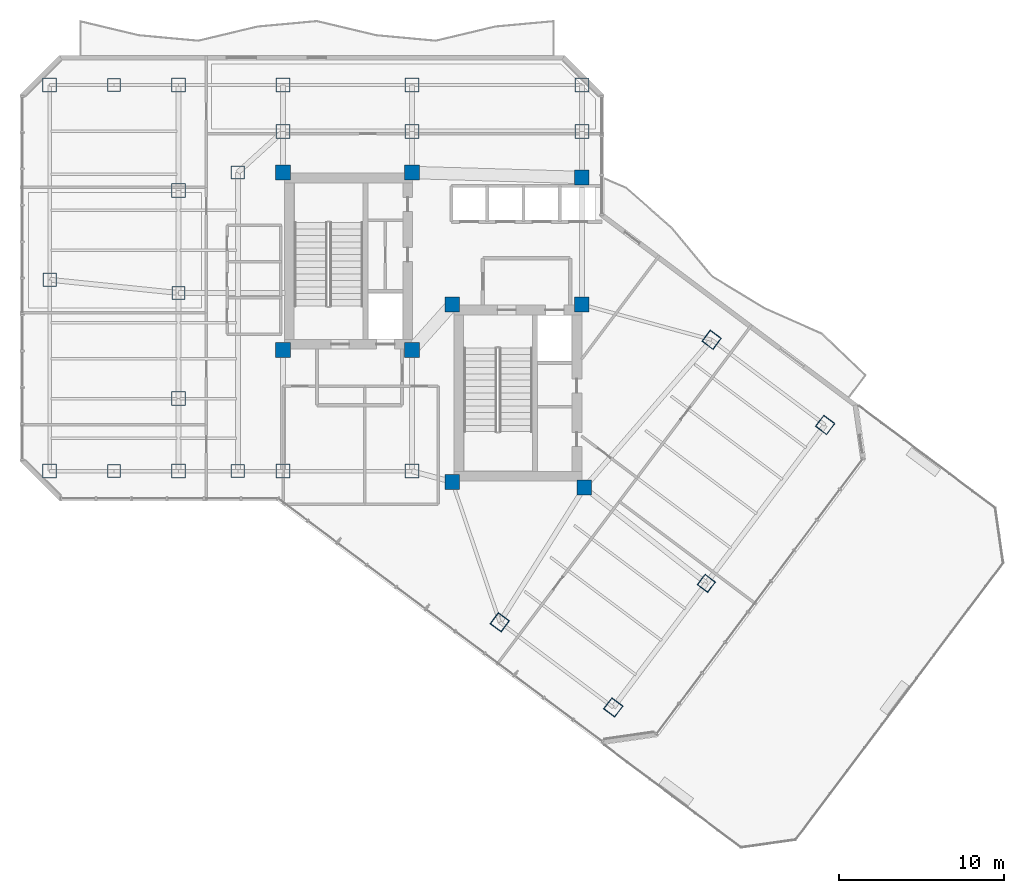
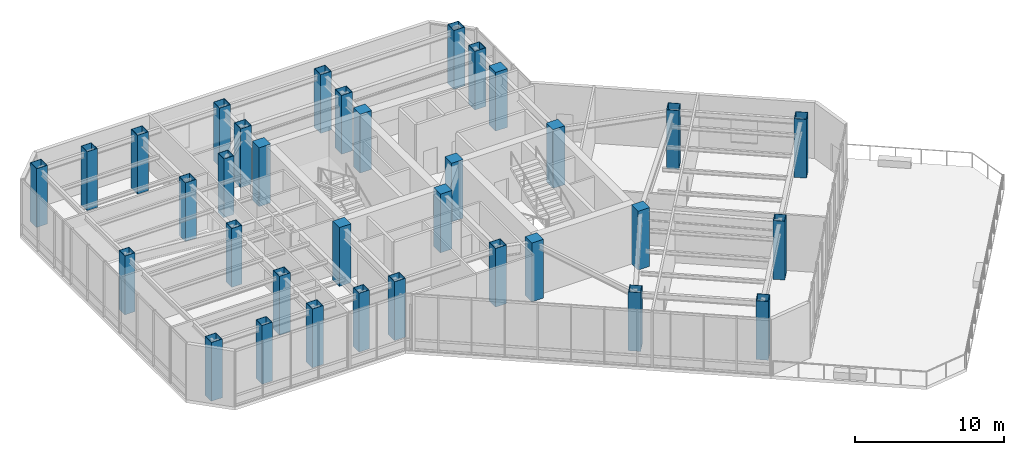
# One storey, part 1 of 30: 34 columns.
"""IFC4 building model written with IfcOpenShell, lengths in metres."""

from ifc_helpers import new_model, si_unit, direction, frame, origin, origin_2d, place, context, subcontext, project, spatial, rectangle, hollow_rectangle, extrude, material, material_profile, profile_set, type_object, element, save


model = new_model("IFC4")

# Units and contexts
model_context = context("Model", 3, precision=1e-05, world=origin(), true_north=direction((0.0, 1.0)))
body_context = subcontext(model_context, "Body", "Model", "MODEL_VIEW")
ifc_project = project(units=[si_unit("LENGTHUNIT", "METRE"), si_unit("AREAUNIT", "SQUARE_METRE"), si_unit("VOLUMEUNIT", "CUBIC_METRE"), si_unit("PLANEANGLEUNIT", "RADIAN"), si_unit("MASSUNIT", "GRAM", prefix="KILO")], contexts=[model_context])

# Site, building, storey
site_placement = place(None, origin())
site = spatial("IfcSite", under=ifc_project, at=site_placement, CompositionType="ELEMENT")
building_placement = place(site_placement, origin())
building = spatial("IfcBuilding", under=site, at=building_placement, Name="Hatsunagi Terrace Concourse", CompositionType="ELEMENT")
storey_placement = place(building_placement, frame((0.0, 0.0, 130.050048828125)))
storey = spatial("IfcBuildingStorey", under=building, at=storey_placement, Name="L34", CompositionType="ELEMENT", Elevation=130.050048828125)

# Columns
ifc_material_1 = material(Name="Concrete Fc48", Category="concrete")
ifc_material_profile_1 = material_profile(ifc_material_1, rectangle(XDim=0.89990234375, YDim=0.89990234375, at=origin_2d()), Name="RC-900x900")
ifc_profile_set_1 = profile_set([ifc_material_profile_1], Name="Concrete Fc48")
column_type_1 = type_object("IfcColumnType", Name="CoreColumn_RC_900x900", PredefinedType="COLUMN", material=ifc_profile_set_1)
for number, where, z_axis, x_axis, name in (
    (1, (25.550048828125, 32.550048828125, 0.0), (0.0, 0.0, 1.0), (1.0, 0.0, 0.0), "Column C-02 L34-CASW"),
    (2, (33.35009765625, 32.550048828125, 0.0), (0.0, 0.0, 1.0), (1.0, 0.0, 0.0), "Column C-02 L34-CASE"),
    (3, (25.550048828125, 43.300048828125, 0.0), (0.0, 0.0, 1.0), (1.0, 0.0, 0.0), "Column C-02 L34-CANW"),
    (4, (33.35009765625, 43.300048828125, 0.0), (0.0, 0.0, 1.0), (1.0, 0.0, 0.0), "Column C-02 L34-CANE"),
    (5, (35.800048828125, 24.550048828125, 0.0), (0.0, 0.0, 1.0), (1.0, 0.0, 0.0), "Column C-02 L34-CBSW"),
    (6, (43.800048828125, 24.199951171875, 0.0), (0.0, 0.0, 1.0), (1.0, 0.0, 0.0), "Column C-02 L34-CBSE"),
    (7, (35.800048828125, 35.300048828125, 0.0), (0.0, 0.0, 1.0), (1.0, 0.0, 0.0), "Column C-02 L34-CBNW"),
    (8, (43.64990234375, 35.300048828125, 0.0), (0.0, 0.0, 1.0), (1.0, 0.0, 0.0), "Column C-02 L34-CBNE"),
    (9, (43.64990234375, 43.0, 0.0), (0.0, 0.0, 1.0), (1.0, 0.0, 0.0), "Column C-02 L34-K3"),
):
    element("IfcColumn", number, at=place(storey_placement, frame(where, z_axis=z_axis, x_axis=x_axis)), inside=storey, type_object=column_type_1, Name=name, PredefinedType="COLUMN", context=body_context, shape_type="SweptSolid", body=[
        extrude(rectangle(XDim=0.89990234375, YDim=0.89990234375, at=origin_2d()), origin(), (0.0, 0.0, 1.0), 4.800048828125),
    ])
ifc_material_2 = material(Name="Steel BCP325T", Category="steel")
ifc_material_profile_2 = material_profile(ifc_material_2, hollow_rectangle(XDim=0.800048828125, YDim=0.800048828125, WallThickness=0.031982421875, at=origin_2d()), Name="BCP-800x800x32")
ifc_profile_set_2 = profile_set([ifc_material_profile_2], Name="Steel BCP325T")
column_type_2 = type_object("IfcColumnType", Name="TowerBoxColumn_800x800x32", PredefinedType="COLUMN", material=ifc_profile_set_2)
for number, where, z_axis, x_axis, name in (
    (10, (22.800048828125, 25.199951171875, 0.0), (0.0, 0.0, 1.0), (1.0, 0.0, 0.0), "Column C-06 L34-CW1"),
    (11, (22.800048828125, 43.300048828125, 0.0), (0.0, 0.0, 1.0), (1.0, 0.0, 0.0), "Column C-06 L34-CW2"),
    (12, (11.39990234375, 36.800048828125, 0.0), (0.0, 0.0, 1.0), (1.0, 0.0, 0.0), "Column C-06 L34-WT1"),
    (13, (19.199951171875, 36.0, 0.0), (0.0, 0.0, 1.0), (1.0, 0.0, 0.0), "Column C-06 L34-WT2"),
    (14, (15.300048828125, 25.199951171875, 0.0), (0.0, 0.0, 1.0), (1.0, 0.0, 0.0), "Column C-06 L34-WT3"),
    (15, (15.300048828125, 48.60009765625, 0.0), (0.0, 0.0, 1.0), (1.0, 0.0, 0.0), "Column C-06 L34-WT4"),
    (16, (51.199951171875, 18.39990234375, 0.0), (0.0, 0.0, 1.0), (0.799999996291, -0.600000004945, 0.0), "Column C-06 L34-SEM2"),
):
    element("IfcColumn", number, at=place(storey_placement, frame(where, z_axis=z_axis, x_axis=x_axis)), inside=storey, type_object=column_type_2, Name=name, PredefinedType="COLUMN", context=body_context, shape_type="SweptSolid", body=[
        extrude(hollow_rectangle(XDim=0.800048828125, YDim=0.800048828125, WallThickness=0.031982421875, at=origin_2d()), origin(), (0.0, 0.0, 1.0), 4.800048828125),
    ])
ifc_material_3 = material(Name="Steel BCP325T", Category="steel")
ifc_material_profile_3 = material_profile(ifc_material_3, hollow_rectangle(XDim=0.85009765625, YDim=0.85009765625, WallThickness=0.031982421875, at=origin_2d()), Name="BCP-850x850x32")
ifc_profile_set_3 = profile_set([ifc_material_profile_3], Name="Steel BCP325T")
column_type_3 = type_object("IfcColumnType", Name="TowerBoxColumn_850x850x32", PredefinedType="COLUMN", material=ifc_profile_set_3)
for number, where, z_axis, x_axis, name in (
    (17, (25.550048828125, 25.199951171875, 0.0), (0.0, 0.0, 1.0), (1.0, 0.0, 0.0), "Column C-05 L34-K1"),
    (18, (33.35009765625, 25.199951171875, 0.0), (0.0, 0.0, 1.0), (1.0, 0.0, 0.0), "Column C-05 L34-K2"),
    (19, (25.550048828125, 45.800048828125, 0.0), (0.0, 0.0, 1.0), (1.0, 0.0, 0.0), "Column C-05 L34-CN1"),
    (20, (33.35009765625, 45.800048828125, 0.0), (0.0, 0.0, 1.0), (1.0, 0.0, 0.0), "Column C-05 L34-CN2"),
    (21, (43.64990234375, 45.800048828125, 0.0), (0.0, 0.0, 1.0), (1.0, 0.0, 0.0), "Column C-05 L34-CN3"),
    (22, (11.39990234375, 25.199951171875, 0.0), (0.0, 0.0, 1.0), (1.0, 0.0, 0.0), "Column C-05 L34-WS2"),
    (23, (11.39990234375, 48.60009765625, 0.0), (0.0, 0.0, 1.0), (1.0, 0.0, 0.0), "Column C-05 L34-WN2"),
    (24, (19.199951171875, 48.60009765625, 0.0), (0.0, 0.0, 1.0), (1.0, 0.0, 0.0), "Column C-05 L34-WN3"),
    (25, (25.550048828125, 48.60009765625, 0.0), (0.0, 0.0, 1.0), (1.0, 0.0, 0.0), "Column C-05 L34-WN4"),
    (26, (33.35009765625, 48.60009765625, 0.0), (0.0, 0.0, 1.0), (1.0, 0.0, 0.0), "Column C-05 L34-WN5"),
    (27, (43.64990234375, 48.60009765625, 0.0), (0.0, 0.0, 1.0), (1.0, 0.0, 0.0), "Column C-05 L34-WN6"),
    (28, (19.199951171875, 25.199951171875, 0.0), (0.0, 0.0, 1.0), (1.0, 0.0, 0.0), "Column C-05 L34-WS3"),
    (29, (19.199951171875, 29.60009765625, 0.0), (0.0, 0.0, 1.0), (1.0, 0.0, 0.0), "Column C-05 L34-WR1"),
    (30, (19.199951171875, 42.199951171875, 0.0), (0.0, 0.0, 1.0), (1.0, 0.0, 0.0), "Column C-05 L34-WR2"),
    (31, (38.679931640625, 16.0400390625, 0.0), (0.0, 0.0, 1.0), (0.799999996291, -0.600000004945, 0.0), "Column C-05 L34-SES1"),
    (32, (51.52001953125, 33.159912109375, 0.0), (0.0, 0.0, 1.0), (0.799999996291, -0.600000004945, 0.0), "Column C-05 L34-SEN1"),
    (33, (45.56005859375, 10.8798828125, 0.0), (0.0, 0.0, 1.0), (0.799999996291, -0.600000004945, 0.0), "Column C-05 L34-SES2"),
    (34, (58.39990234375, 28.0, 0.0), (0.0, 0.0, 1.0), (0.799999996291, -0.600000004945, 0.0), "Column C-05 L34-SEN2"),
):
    element("IfcColumn", number, at=place(storey_placement, frame(where, z_axis=z_axis, x_axis=x_axis)), inside=storey, type_object=column_type_3, Name=name, PredefinedType="COLUMN", context=body_context, shape_type="SweptSolid", body=[
        extrude(hollow_rectangle(XDim=0.85009765625, YDim=0.85009765625, WallThickness=0.031982421875, at=origin_2d()), origin(), (0.0, 0.0, 1.0), 4.800048828125),
    ])

save(model, "model.ifc")
